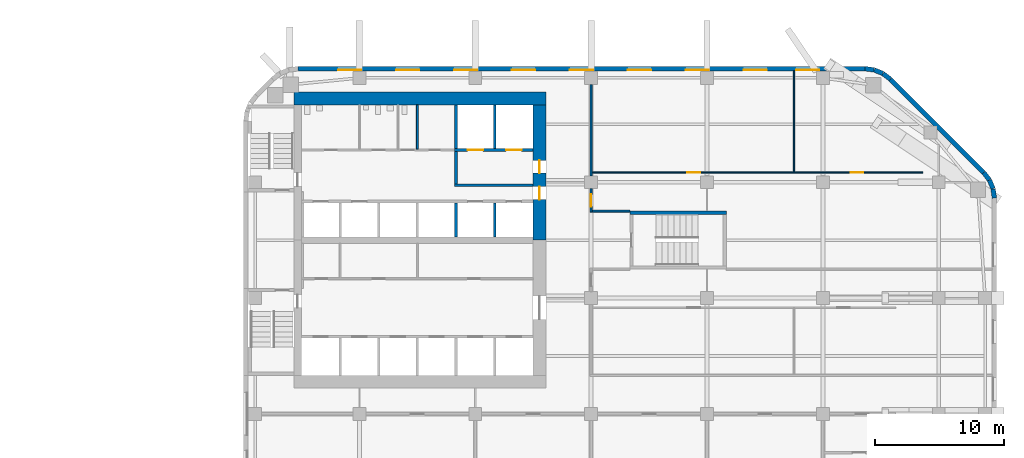
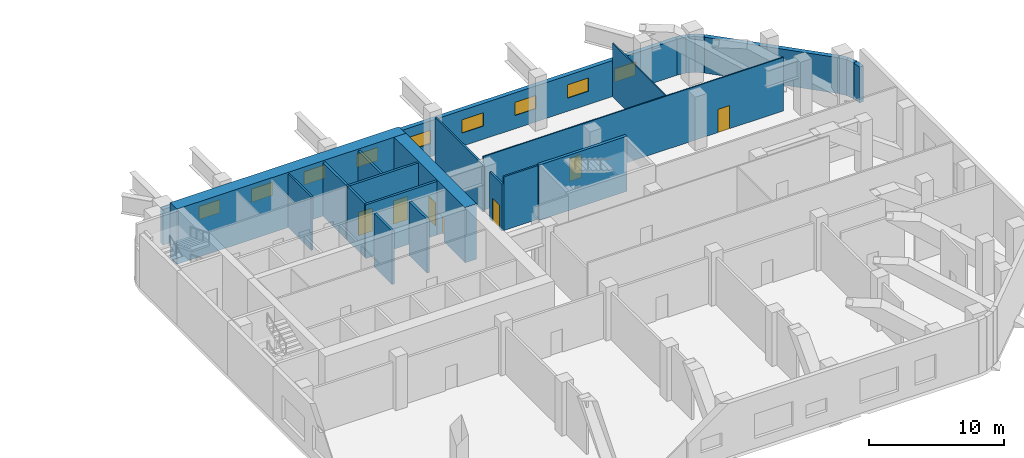
# One storey, part 10 of 14: 24 walls, 9 windows, 7 doors, 16 openings.
"""IFC4 building model written with IfcOpenShell, lengths in metres."""

from ifc_helpers import new_model, si_unit, direction, frame, frame_2d, origin, place, context, subcontext, project, spatial, rectangle, extrude, material, layer, layer_set, type_object, element, fill, save


model = new_model("IFC4")

# Units and contexts
model_context = context("Model", 3, precision=1e-05, world=origin(), true_north=direction((0.0, 1.0)))
body_context = subcontext(model_context, "Body", "Model", "MODEL_VIEW")
ifc_project = project(units=[si_unit("LENGTHUNIT", "METRE"), si_unit("AREAUNIT", "SQUARE_METRE"), si_unit("VOLUMEUNIT", "CUBIC_METRE"), si_unit("PLANEANGLEUNIT", "RADIAN"), si_unit("MASSUNIT", "GRAM", prefix="KILO")], contexts=[model_context])

# Site, building, storey
site_placement = place(None, origin())
site = spatial("IfcSite", under=ifc_project, at=site_placement, CompositionType="ELEMENT")
building_placement = place(site_placement, origin())
building = spatial("IfcBuilding", under=site, at=building_placement, Name="Cinnabar Reach Civic Tower", CompositionType="ELEMENT")
storey_placement = place(building_placement, frame((0.0, 0.0, 95.0)))
storey = spatial("IfcBuildingStorey", under=building, at=storey_placement, Name="L22", CompositionType="ELEMENT", Elevation=95.0)

# Walls
ifc_material_1 = material(Name="Facing brick with insulated backing", Category="masonry")
ifc_layer_1 = layer(ifc_material_1, 0.36)
ifc_layer_set_1 = layer_set([ifc_layer_1], Name="Brick corner wall")
wall_type_1 = type_object("IfcWallType", Name="Brick corner wall", PredefinedType="STANDARD", material=ifc_layer_set_1)
for number, where, z_axis, x_axis, name in (
    (1, (58.317, 34.7686, 0.0), (0.0, 0.0, 1.0), (-0.13055608231, 0.99144092581, 0.0), "Brick corner wall"),
    (2, (58.2181, 35.4973, 0.0), (0.0, 0.0, 1.0), (-0.382702709855, 0.923871547278, 0.0), "Brick corner wall"),
):
    element("IfcWall", number, at=place(storey_placement, frame(where, z_axis=z_axis, x_axis=x_axis)), inside=storey, type_object=wall_type_1, Name=name, PredefinedType="STANDARD", context=body_context, shape_type="SweptSolid", body=[
        extrude(rectangle(XDim=0.7131, YDim=0.36, at=frame_2d((0.3565, 0.0))), origin(), (0.0, 0.0, 1.0), 3.25),
    ])
for number, where, z_axis, x_axis, name in (
    (3, (57.934, 36.1755, 0.0), (0.0, 0.0, 1.0), (-0.608802368033, 0.793321924995, 0.0), "Brick corner wall"),
    (4, (50.2413, 43.9998, 0.0), (0.0, 0.0, 1.0), (-0.793321924995, 0.608802368033, 0.0), "Brick corner wall"),
):
    element("IfcWall", number, at=place(storey_placement, frame(where, z_axis=z_axis, x_axis=x_axis)), inside=storey, type_object=wall_type_1, Name=name, PredefinedType="STANDARD", context=body_context, shape_type="SweptSolid", body=[
        extrude(rectangle(XDim=0.7132, YDim=0.36, at=frame_2d((0.3566, 0.0))), origin(), (0.0, 0.0, 1.0), 3.25),
    ])
for number, where, z_axis, x_axis, name in (
    (5, (49.6561, 44.4452, 0.0), (0.0, 0.0, 1.0), (-0.923871547278, 0.382702709855, 0.0), "Brick corner wall"),
    (6, (48.9756, 44.7239, 0.0), (0.0, 0.0, 1.0), (-0.99144092581, 0.13055608231, 0.0), "Brick corner wall"),
):
    element("IfcWall", number, at=place(storey_placement, frame(where, z_axis=z_axis, x_axis=x_axis)), inside=storey, type_object=wall_type_1, Name=name, PredefinedType="STANDARD", context=body_context, shape_type="SweptSolid", body=[
        extrude(rectangle(XDim=0.7131, YDim=0.36, at=frame_2d((0.3565, 0.0))), origin(), (0.0, 0.0, 1.0), 3.25),
    ])
ifc_layer_2 = layer(ifc_material_1, 0.36)
ifc_layer_set_2 = layer_set([ifc_layer_2], Name="Brick pier and spandrel wall")
wall_type_2 = type_object("IfcWallType", Name="Brick pier and spandrel wall", PredefinedType="STANDARD", material=ifc_layer_set_2)
wall_1_placement = place(storey_placement, frame((57.494, 36.7514, 0.0), z_axis=(0.0, 0.0, 1.0), x_axis=(-0.707106781187, 0.707106781187, 0.0)))
element("IfcWall", 7, at=wall_1_placement, inside=storey, type_object=wall_type_2, Name="Brick facade wall", PredefinedType="STANDARD", context=body_context, shape_type="SweptSolid", body=[
    extrude(rectangle(XDim=10.2426, YDim=0.36, at=frame_2d((5.1213, 0.0))), origin(), (0.0, 0.0, 1.0), 3.25),
])

# Wall, openings, windows
wall_2_placement = place(storey_placement, frame((48.2574, 44.82, 0.0), z_axis=(0.0, 0.0, 1.0), x_axis=(-1.0, 0.0, 0.0)))
wall_2 = element("IfcWall", 8, at=wall_2_placement, inside=storey, type_object=wall_type_2, Name="Brick facade wall", PredefinedType="STANDARD", context=body_context, shape_type="SweptSolid", body=[
    extrude(rectangle(XDim=44.0148, YDim=0.36, at=frame_2d((22.0074, 0.0))), origin(), (0.0, 0.0, 1.0), 3.25),
])
opening_1_placement = place(wall_2_placement, frame((3.5344, 0.0, 1.2)))
opening_1 = element("IfcOpeningElement", 9, at=opening_1_placement, cuts=wall_2, Name="Opening W1469", PredefinedType="OPENING", context=body_context, shape_type="SweptSolid", body=[
    extrude(rectangle(XDim=1.8, YDim=1.2, at=frame_2d((0.9, 0.6))), frame((0.0, 0.19, 0.0), z_axis=(0.0, -1.0, 0.0), x_axis=(1.0, 0.0, 0.0)), (0.0, 0.0, 1.0), 0.38),
])
opening_2_placement = place(wall_2_placement, frame((7.6074, 0.0, 1.2)))
opening_2 = element("IfcOpeningElement", 10, at=opening_2_placement, cuts=wall_2, Name="Opening W1470", PredefinedType="OPENING", context=body_context, shape_type="SweptSolid", body=[
    extrude(rectangle(XDim=1.8, YDim=1.2, at=frame_2d((0.9, 0.6))), frame((0.0, 0.19, 0.0), z_axis=(0.0, -1.0, 0.0), x_axis=(1.0, 0.0, 0.0)), (0.0, 0.0, 1.0), 0.38),
])
opening_3_placement = place(wall_2_placement, frame((12.1074, 0.0, 1.2)))
opening_3 = element("IfcOpeningElement", 11, at=opening_3_placement, cuts=wall_2, Name="Opening W1471", PredefinedType="OPENING", context=body_context, shape_type="SweptSolid", body=[
    extrude(rectangle(XDim=1.8, YDim=1.2, at=frame_2d((0.9, 0.6))), frame((0.0, 0.19, 0.0), z_axis=(0.0, -1.0, 0.0), x_axis=(1.0, 0.0, 0.0)), (0.0, 0.0, 1.0), 0.38),
])
opening_4_placement = place(wall_2_placement, frame((16.6074, 0.0, 1.2)))
opening_4 = element("IfcOpeningElement", 12, at=opening_4_placement, cuts=wall_2, Name="Opening W1472", PredefinedType="OPENING", context=body_context, shape_type="SweptSolid", body=[
    extrude(rectangle(XDim=1.8, YDim=1.2, at=frame_2d((0.9, 0.6))), frame((0.0, 0.19, 0.0), z_axis=(0.0, -1.0, 0.0), x_axis=(1.0, 0.0, 0.0)), (0.0, 0.0, 1.0), 0.38),
])
opening_5_placement = place(wall_2_placement, frame((21.1074, 0.0, 1.2)))
opening_5 = element("IfcOpeningElement", 13, at=opening_5_placement, cuts=wall_2, Name="Opening W1473", PredefinedType="OPENING", context=body_context, shape_type="SweptSolid", body=[
    extrude(rectangle(XDim=1.8, YDim=1.2, at=frame_2d((0.9, 0.6))), frame((0.0, 0.19, 0.0), z_axis=(0.0, -1.0, 0.0), x_axis=(1.0, 0.0, 0.0)), (0.0, 0.0, 1.0), 0.38),
])
opening_6_placement = place(wall_2_placement, frame((25.6074, 0.0, 1.2)))
opening_6 = element("IfcOpeningElement", 14, at=opening_6_placement, cuts=wall_2, Name="Opening W1474", PredefinedType="OPENING", context=body_context, shape_type="SweptSolid", body=[
    extrude(rectangle(XDim=1.8, YDim=1.2, at=frame_2d((0.9, 0.6))), frame((0.0, 0.19, 0.0), z_axis=(0.0, -1.0, 0.0), x_axis=(1.0, 0.0, 0.0)), (0.0, 0.0, 1.0), 0.38),
])
opening_7_placement = place(wall_2_placement, frame((30.1074, 0.0, 1.2)))
opening_7 = element("IfcOpeningElement", 15, at=opening_7_placement, cuts=wall_2, Name="Opening W1475", PredefinedType="OPENING", context=body_context, shape_type="SweptSolid", body=[
    extrude(rectangle(XDim=1.8, YDim=1.2, at=frame_2d((0.9, 0.6))), frame((0.0, 0.19, 0.0), z_axis=(0.0, -1.0, 0.0), x_axis=(1.0, 0.0, 0.0)), (0.0, 0.0, 1.0), 0.38),
])
opening_8_placement = place(wall_2_placement, frame((34.6074, 0.0, 1.2)))
opening_8 = element("IfcOpeningElement", 16, at=opening_8_placement, cuts=wall_2, Name="Opening W1476", PredefinedType="OPENING", context=body_context, shape_type="SweptSolid", body=[
    extrude(rectangle(XDim=1.8, YDim=1.2, at=frame_2d((0.9, 0.6))), frame((0.0, 0.19, 0.0), z_axis=(0.0, -1.0, 0.0), x_axis=(1.0, 0.0, 0.0)), (0.0, 0.0, 1.0), 0.38),
])
opening_9_placement = place(wall_2_placement, frame((39.1074, 0.0, 1.2)))
opening_9 = element("IfcOpeningElement", 17, at=opening_9_placement, cuts=wall_2, Name="Opening W1477", PredefinedType="OPENING", context=body_context, shape_type="SweptSolid", body=[
    extrude(rectangle(XDim=1.8, YDim=1.2, at=frame_2d((0.9, 0.6))), frame((0.0, 0.19, 0.0), z_axis=(0.0, -1.0, 0.0), x_axis=(1.0, 0.0, 0.0)), (0.0, 0.0, 1.0), 0.38),
])
ifc_material_2 = material(Name="Clear double glazing in aluminium frame", Category="aluminium")
window_type = type_object("IfcWindowType", Name="Deep-set window C", PartitioningType="SINGLE_PANEL", PredefinedType="WINDOW", material=ifc_material_2)
window_1_placement = place(opening_1_placement, origin())
window_1 = element("IfcWindow", 18, at=window_1_placement, inside=storey, type_object=window_type, Name="Window north face", OverallHeight=1.2, OverallWidth=1.8, PartitioningType="SINGLE_PANEL", PredefinedType="WINDOW", context=body_context, shape_type="SweptSolid", body=[
    extrude(rectangle(XDim=1.8, YDim=1.2, at=frame_2d((0.9, 0.6))), frame((0.0, 0.13, 0.0), z_axis=(0.0, -1.0, 0.0), x_axis=(1.0, 0.0, 0.0)), (0.0, 0.0, 1.0), 0.06),
])
fill(opening_1, window_1)
window_2_placement = place(opening_2_placement, origin())
window_2 = element("IfcWindow", 19, at=window_2_placement, inside=storey, type_object=window_type, Name="Window north face", OverallHeight=1.2, OverallWidth=1.8, PartitioningType="SINGLE_PANEL", PredefinedType="WINDOW", context=body_context, shape_type="SweptSolid", body=[
    extrude(rectangle(XDim=1.8, YDim=1.2, at=frame_2d((0.9, 0.6))), frame((0.0, 0.13, 0.0), z_axis=(0.0, -1.0, 0.0), x_axis=(1.0, 0.0, 0.0)), (0.0, 0.0, 1.0), 0.06),
])
fill(opening_2, window_2)
window_3_placement = place(opening_3_placement, origin())
window_3 = element("IfcWindow", 20, at=window_3_placement, inside=storey, type_object=window_type, Name="Window north face", OverallHeight=1.2, OverallWidth=1.8, PartitioningType="SINGLE_PANEL", PredefinedType="WINDOW", context=body_context, shape_type="SweptSolid", body=[
    extrude(rectangle(XDim=1.8, YDim=1.2, at=frame_2d((0.9, 0.6))), frame((0.0, 0.13, 0.0), z_axis=(0.0, -1.0, 0.0), x_axis=(1.0, 0.0, 0.0)), (0.0, 0.0, 1.0), 0.06),
])
fill(opening_3, window_3)
window_4_placement = place(opening_4_placement, origin())
window_4 = element("IfcWindow", 21, at=window_4_placement, inside=storey, type_object=window_type, Name="Window north face", OverallHeight=1.2, OverallWidth=1.8, PartitioningType="SINGLE_PANEL", PredefinedType="WINDOW", context=body_context, shape_type="SweptSolid", body=[
    extrude(rectangle(XDim=1.8, YDim=1.2, at=frame_2d((0.9, 0.6))), frame((0.0, 0.13, 0.0), z_axis=(0.0, -1.0, 0.0), x_axis=(1.0, 0.0, 0.0)), (0.0, 0.0, 1.0), 0.06),
])
fill(opening_4, window_4)
window_5_placement = place(opening_5_placement, origin())
window_5 = element("IfcWindow", 22, at=window_5_placement, inside=storey, type_object=window_type, Name="Window north face", OverallHeight=1.2, OverallWidth=1.8, PartitioningType="SINGLE_PANEL", PredefinedType="WINDOW", context=body_context, shape_type="SweptSolid", body=[
    extrude(rectangle(XDim=1.8, YDim=1.2, at=frame_2d((0.9, 0.6))), frame((0.0, 0.13, 0.0), z_axis=(0.0, -1.0, 0.0), x_axis=(1.0, 0.0, 0.0)), (0.0, 0.0, 1.0), 0.06),
])
fill(opening_5, window_5)
window_6_placement = place(opening_6_placement, origin())
window_6 = element("IfcWindow", 23, at=window_6_placement, inside=storey, type_object=window_type, Name="Window north face", OverallHeight=1.2, OverallWidth=1.8, PartitioningType="SINGLE_PANEL", PredefinedType="WINDOW", context=body_context, shape_type="SweptSolid", body=[
    extrude(rectangle(XDim=1.8, YDim=1.2, at=frame_2d((0.9, 0.6))), frame((0.0, 0.13, 0.0), z_axis=(0.0, -1.0, 0.0), x_axis=(1.0, 0.0, 0.0)), (0.0, 0.0, 1.0), 0.06),
])
fill(opening_6, window_6)
window_7_placement = place(opening_7_placement, origin())
window_7 = element("IfcWindow", 24, at=window_7_placement, inside=storey, type_object=window_type, Name="Window north face", OverallHeight=1.2, OverallWidth=1.8, PartitioningType="SINGLE_PANEL", PredefinedType="WINDOW", context=body_context, shape_type="SweptSolid", body=[
    extrude(rectangle(XDim=1.8, YDim=1.2, at=frame_2d((0.9, 0.6))), frame((0.0, 0.13, 0.0), z_axis=(0.0, -1.0, 0.0), x_axis=(1.0, 0.0, 0.0)), (0.0, 0.0, 1.0), 0.06),
])
fill(opening_7, window_7)
window_8_placement = place(opening_8_placement, origin())
window_8 = element("IfcWindow", 25, at=window_8_placement, inside=storey, type_object=window_type, Name="Window north face", OverallHeight=1.2, OverallWidth=1.8, PartitioningType="SINGLE_PANEL", PredefinedType="WINDOW", context=body_context, shape_type="SweptSolid", body=[
    extrude(rectangle(XDim=1.8, YDim=1.2, at=frame_2d((0.9, 0.6))), frame((0.0, 0.13, 0.0), z_axis=(0.0, -1.0, 0.0), x_axis=(1.0, 0.0, 0.0)), (0.0, 0.0, 1.0), 0.06),
])
fill(opening_8, window_8)
window_9_placement = place(opening_9_placement, origin())
window_9 = element("IfcWindow", 26, at=window_9_placement, inside=storey, type_object=window_type, Name="Window north face", OverallHeight=1.2, OverallWidth=1.8, PartitioningType="SINGLE_PANEL", PredefinedType="WINDOW", context=body_context, shape_type="SweptSolid", body=[
    extrude(rectangle(XDim=1.8, YDim=1.2, at=frame_2d((0.9, 0.6))), frame((0.0, 0.13, 0.0), z_axis=(0.0, -1.0, 0.0), x_axis=(1.0, 0.0, 0.0)), (0.0, 0.0, 1.0), 0.06),
])
fill(opening_9, window_9)

# Wall
ifc_material_3 = material(Name="Concrete C70", Category="concrete")
ifc_layer_3 = layer(ifc_material_3, 1.0)
ifc_layer_set_3 = layer_set([ifc_layer_3], Name="Core wall 1000 EI 180")
wall_type_3 = type_object("IfcWallType", Name="Core wall 1000 EI 180", PredefinedType="SOLIDWALL", material=ifc_layer_set_3)
wall_3_placement = place(storey_placement, frame((23.5, 42.5, 0.0), z_axis=(0.0, 0.0, 1.0), x_axis=(-1.0, 0.0, 0.0)))
element("IfcWall", 27, at=wall_3_placement, inside=storey, type_object=wall_type_3, Name="Core wall T1 L22 N", PredefinedType="SOLIDWALL", context=body_context, shape_type="SweptSolid", body=[
    extrude(rectangle(XDim=19.6, YDim=1.0, at=frame_2d((9.8, 0.0))), origin(), (0.0, 0.0, 1.0), 5.0),
])

# Wall, openings, doors
wall_4_placement = place(storey_placement, frame((23.0, 31.5, 0.0), z_axis=(0.0, 0.0, 1.0), x_axis=(0.0, 1.0, 0.0)))
wall_4 = element("IfcWall", 28, at=wall_4_placement, inside=storey, type_object=wall_type_3, Name="Core wall T1 L22 E2", PredefinedType="SOLIDWALL", context=body_context, shape_type="SweptSolid", body=[
    extrude(rectangle(XDim=10.5, YDim=1.0, at=frame_2d((5.25, 0.0))), origin(), (0.0, 0.0, 1.0), 5.0),
])
opening_10_placement = place(wall_4_placement, frame((3.15, 0.0, 0.0)))
opening_10 = element("IfcOpeningElement", 29, at=opening_10_placement, cuts=wall_4, Name="Opening D3893", PredefinedType="OPENING", context=body_context, shape_type="SweptSolid", body=[
    extrude(rectangle(XDim=1.0, YDim=2.1, at=frame_2d((0.5, 1.05))), frame((0.0, 0.51, 0.0), z_axis=(0.0, -1.0, 0.0), x_axis=(1.0, 0.0, 0.0)), (0.0, 0.0, 1.0), 1.02),
])
opening_11_placement = place(wall_4_placement, frame((5.2, 0.0, 0.0)))
opening_11 = element("IfcOpeningElement", 30, at=opening_11_placement, cuts=wall_4, Name="Opening D3894", PredefinedType="OPENING", context=body_context, shape_type="SweptSolid", body=[
    extrude(rectangle(XDim=1.0, YDim=2.1, at=frame_2d((0.5, 1.05))), frame((0.0, 0.51, 0.0), z_axis=(0.0, -1.0, 0.0), x_axis=(1.0, 0.0, 0.0)), (0.0, 0.0, 1.0), 1.02),
])
ifc_material_4 = material(Name="Timber door leaf in steel frame", Category="steel")
door_type_1 = type_object("IfcDoorType", Name="Firefighting lobby door 1000 x 2100 T1", OperationType="SINGLE_SWING_LEFT", PredefinedType="DOOR", material=ifc_material_4)
door_1_placement = place(opening_11_placement, origin())
door_1 = element("IfcDoor", 31, at=door_1_placement, inside=storey, type_object=door_type_1, Name="Door D3894", OperationType="SINGLE_SWING_LEFT", OverallHeight=2.1, OverallWidth=1.0, PredefinedType="DOOR", context=body_context, shape_type="SweptSolid", body=[
    extrude(rectangle(XDim=1.0, YDim=2.1, at=frame_2d((0.5, 1.05))), frame((0.0, 0.025, 0.0), z_axis=(0.0, -1.0, 0.0), x_axis=(1.0, 0.0, 0.0)), (0.0, 0.0, 1.0), 0.05),
])
fill(opening_11, door_1)
door_type_2 = type_object("IfcDoorType", Name="Single swing door 1000 x 2100 T1", OperationType="SINGLE_SWING_LEFT", PredefinedType="DOOR", material=ifc_material_4)
door_2_placement = place(opening_10_placement, origin())
door_2 = element("IfcDoor", 32, at=door_2_placement, inside=storey, type_object=door_type_2, Name="Door D3893", OperationType="SINGLE_SWING_RIGHT", OverallHeight=2.1, OverallWidth=1.0, PredefinedType="DOOR", context=body_context, shape_type="SweptSolid", body=[
    extrude(rectangle(XDim=1.0, YDim=2.1, at=frame_2d((0.5, 1.05))), frame((0.0, 0.025, 0.0), z_axis=(0.0, -1.0, 0.0), x_axis=(1.0, 0.0, 0.0)), (0.0, 0.0, 1.0), 0.05),
])
fill(opening_10, door_2)

# Wall, opening, door
ifc_material_5 = material(Name="Gypsum board on steel studs, double layer", Category="steel")
ifc_layer_4 = layer(ifc_material_5, 0.15)
ifc_layer_set_4 = layer_set([ifc_layer_4], Name="Corridor wall 150 T1")
wall_type_4 = type_object("IfcWallType", Name="Corridor wall 150 T1", PredefinedType="PARTITIONING", material=ifc_layer_set_4)
wall_5_placement = place(storey_placement, frame((27.0, 33.675, 0.0), z_axis=(0.0, 0.0, 1.0), x_axis=(0.0, 1.0, 0.0)))
wall_5 = element("IfcWall", 33, at=wall_5_placement, inside=storey, type_object=wall_type_4, Name="Corridor wall 39", PredefinedType="PARTITIONING", context=body_context, shape_type="SweptSolid", body=[
    extrude(rectangle(XDim=1.825, YDim=0.15, at=frame_2d((0.9125, 0.0))), origin(), (0.0, 0.0, 1.0), 4.256),
])
opening_12_placement = place(wall_5_placement, frame((0.4, 0.0, 0.0)))
opening_12 = element("IfcOpeningElement", 34, at=opening_12_placement, cuts=wall_5, Name="Opening D3903", PredefinedType="OPENING", context=body_context, shape_type="SweptSolid", body=[
    extrude(rectangle(XDim=1.0, YDim=2.1, at=frame_2d((0.5, 1.05))), frame((0.0, 0.085, 0.0), z_axis=(0.0, -1.0, 0.0), x_axis=(1.0, 0.0, 0.0)), (0.0, 0.0, 1.0), 0.17),
])
door_type_3 = type_object("IfcDoorType", Name="Plant room door 1000 x 2100 T1", OperationType="SINGLE_SWING_LEFT", PredefinedType="DOOR", material=ifc_material_4)
door_3_placement = place(opening_12_placement, frame((1.0, 0.0, 0.0), z_axis=(0.0, 0.0, 1.0), x_axis=(-1.0, 0.0, 0.0)))
door_3 = element("IfcDoor", 35, at=door_3_placement, inside=storey, type_object=door_type_3, Name="Door D3903", OperationType="SINGLE_SWING_RIGHT", OverallHeight=2.1, OverallWidth=1.0, PredefinedType="DOOR", context=body_context, shape_type="SweptSolid", body=[
    extrude(rectangle(XDim=1.0, YDim=2.1, at=frame_2d((0.5, 1.05))), frame((0.0, 0.025, 0.0), z_axis=(0.0, -1.0, 0.0), x_axis=(1.0, 0.0, 0.0)), (0.0, 0.0, 1.0), 0.05),
])
fill(opening_12, door_3)

# Walls
wall_6_placement = place(storey_placement, frame((27.0, 36.5, 0.0), z_axis=(0.0, 0.0, 1.0), x_axis=(0.0, 1.0, 0.0)))
element("IfcWall", 36, at=wall_6_placement, inside=storey, type_object=wall_type_4, Name="Corridor wall 40", PredefinedType="PARTITIONING", context=body_context, shape_type="SweptSolid", body=[
    extrude(rectangle(XDim=7.1, YDim=0.15, at=frame_2d((3.55, 0.0))), origin(), (0.0, 0.0, 1.0), 4.256),
])
wall_7_placement = place(storey_placement, frame((27.075, 33.75, 0.0), z_axis=(0.0, 0.0, 1.0), x_axis=(1.0, 0.0, 0.0)))
element("IfcWall", 37, at=wall_7_placement, inside=storey, type_object=wall_type_4, Name="Corridor wall 46", PredefinedType="PARTITIONING", context=body_context, shape_type="SweptSolid", body=[
    extrude(rectangle(XDim=2.925, YDim=0.15, at=frame_2d((1.4625, 0.0))), origin(), (0.0, 0.0, 1.0), 4.85),
])
ifc_material_6 = material(Name="Blockwork", Category="masonry")
ifc_layer_5 = layer(ifc_material_6, 0.2)
ifc_layer_set_5 = layer_set([ifc_layer_5], Name="Lift shaft wall 200 T1")
wall_type_5 = type_object("IfcWallType", Name="Lift shaft wall 200 T1", PredefinedType="PARTITIONING", material=ifc_layer_set_5)
for number, where, z_axis, x_axis, name in (
    (38, (16.5, 38.6, 0.0), (0.0, 0.0, 1.0), (0.0, 1.0, 0.0), "Lift shaft wall 23"),
    (39, (19.5, 38.6, 0.0), (0.0, 0.0, 1.0), (0.0, 1.0, 0.0), "Lift shaft wall 24"),
):
    element("IfcWall", number, at=place(storey_placement, frame(where, z_axis=z_axis, x_axis=x_axis)), inside=storey, type_object=wall_type_5, Name=name, PredefinedType="PARTITIONING", context=body_context, shape_type="SweptSolid", body=[
        extrude(rectangle(XDim=3.4, YDim=0.2, at=frame_2d((1.7, 0.0))), origin(), (0.0, 0.0, 1.0), 4.85),
    ])
for number, where, z_axis, x_axis, name in (
    (40, (16.5, 31.75, 0.0), (0.0, 0.0, 1.0), (0.0, 1.0, 0.0), "Lift shaft wall 33"),
    (41, (19.5, 31.75, 0.0), (0.0, 0.0, 1.0), (0.0, 1.0, 0.0), "Lift shaft wall 35"),
):
    element("IfcWall", number, at=place(storey_placement, frame(where, z_axis=z_axis, x_axis=x_axis)), inside=storey, type_object=wall_type_5, Name=name, PredefinedType="PARTITIONING", context=body_context, shape_type="SweptSolid", body=[
        extrude(rectangle(XDim=2.65, YDim=0.2, at=frame_2d((1.325, 0.0))), origin(), (0.0, 0.0, 1.0), 4.85),
    ])

# Wall, openings, doors
ifc_material_7 = material(Name="Gypsum board on steel studs", Category="steel")
ifc_layer_6 = layer(ifc_material_7, 0.1)
ifc_layer_set_6 = layer_set([ifc_layer_6], Name="Partition wall 100 T1")
wall_type_6 = type_object("IfcWallType", Name="Partition wall 100 T1", PredefinedType="PARTITIONING", material=ifc_layer_set_6)
wall_8_placement = place(storey_placement, frame((27.075, 36.75, 0.0), z_axis=(0.0, 0.0, 1.0), x_axis=(1.0, 0.0, 0.0)))
wall_8 = element("IfcWall", 42, at=wall_8_placement, inside=storey, type_object=wall_type_6, Name="Partition wall 51", PredefinedType="PARTITIONING", context=body_context, shape_type="SweptSolid", body=[
    extrude(rectangle(XDim=25.6754, YDim=0.1, at=frame_2d((12.8377, 0.0))), origin(), (0.0, 0.0, 1.0), 4.85),
])
opening_13_placement = place(wall_8_placement, frame((7.4, 0.0, 0.0)))
opening_13 = element("IfcOpeningElement", 43, at=opening_13_placement, cuts=wall_8, Name="Opening D3904", PredefinedType="OPENING", context=body_context, shape_type="SweptSolid", body=[
    extrude(rectangle(XDim=1.0, YDim=2.1, at=frame_2d((0.5, 1.05))), frame((0.0, 0.06, 0.0), z_axis=(0.0, -1.0, 0.0), x_axis=(1.0, 0.0, 0.0)), (0.0, 0.0, 1.0), 0.12),
])
opening_14_placement = place(wall_8_placement, frame((20.075, 0.0, 0.0)))
opening_14 = element("IfcOpeningElement", 44, at=opening_14_placement, cuts=wall_8, Name="Opening D3905", PredefinedType="OPENING", context=body_context, shape_type="SweptSolid", body=[
    extrude(rectangle(XDim=1.0, YDim=2.1, at=frame_2d((0.5, 1.05))), frame((0.0, 0.06, 0.0), z_axis=(0.0, -1.0, 0.0), x_axis=(1.0, 0.0, 0.0)), (0.0, 0.0, 1.0), 0.12),
])
door_4_placement = place(opening_13_placement, frame((1.0, 0.0, 0.0), z_axis=(0.0, 0.0, 1.0), x_axis=(-1.0, 0.0, 0.0)))
door_4 = element("IfcDoor", 45, at=door_4_placement, inside=storey, type_object=door_type_3, Name="Door D3904", OperationType="SINGLE_SWING_LEFT", OverallHeight=2.1, OverallWidth=1.0, PredefinedType="DOOR", context=body_context, shape_type="SweptSolid", body=[
    extrude(rectangle(XDim=1.0, YDim=2.1, at=frame_2d((0.5, 1.05))), frame((0.0, 0.025, 0.0), z_axis=(0.0, -1.0, 0.0), x_axis=(1.0, 0.0, 0.0)), (0.0, 0.0, 1.0), 0.05),
])
fill(opening_13, door_4)
door_5_placement = place(opening_14_placement, frame((1.0, 0.0, 0.0), z_axis=(0.0, 0.0, 1.0), x_axis=(-1.0, 0.0, 0.0)))
door_5 = element("IfcDoor", 46, at=door_5_placement, inside=storey, type_object=door_type_3, Name="Door D3905", OperationType="SINGLE_SWING_LEFT", OverallHeight=2.1, OverallWidth=1.0, PredefinedType="DOOR", context=body_context, shape_type="SweptSolid", body=[
    extrude(rectangle(XDim=1.0, YDim=2.1, at=frame_2d((0.5, 1.05))), frame((0.0, 0.025, 0.0), z_axis=(0.0, -1.0, 0.0), x_axis=(1.0, 0.0, 0.0)), (0.0, 0.0, 1.0), 0.05),
])
fill(opening_14, door_5)

# Walls
wall_9_placement = place(storey_placement, frame((42.75, 36.8, 0.0), z_axis=(0.0, 0.0, 1.0), x_axis=(0.0, 1.0, 0.0)))
element("IfcWall", 47, at=wall_9_placement, inside=storey, type_object=wall_type_6, Name="Partition wall 52", PredefinedType="PARTITIONING", context=body_context, shape_type="SweptSolid", body=[
    extrude(rectangle(XDim=7.84, YDim=0.1, at=frame_2d((3.92, 0.0))), origin(), (0.0, 0.0, 1.0), 4.85),
])
ifc_material_8 = material(Name="Concrete C40", Category="concrete")
ifc_layer_7 = layer(ifc_material_8, 0.2)
ifc_layer_set_7 = layer_set([ifc_layer_7], Name="Refuge compartment wall 200 T1")
wall_type_7 = type_object("IfcWallType", Name="Refuge compartment wall 200 T1", PredefinedType="PARTITIONING", material=ifc_layer_set_7)
wall_10_placement = place(storey_placement, frame((16.4, 35.75, 0.0), z_axis=(0.0, 0.0, 1.0), x_axis=(1.0, 0.0, 0.0)))
element("IfcWall", 48, at=wall_10_placement, inside=storey, type_object=wall_type_7, Name="Refuge compartment wall 18", PredefinedType="PARTITIONING", context=body_context, shape_type="SweptSolid", body=[
    extrude(rectangle(XDim=6.1, YDim=0.2, at=frame_2d((3.05, 0.0))), origin(), (0.0, 0.0, 1.0), 4.85),
])

# Wall, openings, doors
wall_11_placement = place(storey_placement, frame((16.4, 38.5, 0.0), z_axis=(0.0, 0.0, 1.0), x_axis=(1.0, 0.0, 0.0)))
wall_11 = element("IfcWall", 49, at=wall_11_placement, inside=storey, type_object=wall_type_7, Name="Refuge compartment wall 19", PredefinedType="PARTITIONING", context=body_context, shape_type="SweptSolid", body=[
    extrude(rectangle(XDim=6.1, YDim=0.2, at=frame_2d((3.05, 0.0))), origin(), (0.0, 0.0, 1.0), 4.85),
])
opening_15_placement = place(wall_11_placement, frame((1.0, 0.0, 0.0)))
opening_15 = element("IfcOpeningElement", 50, at=opening_15_placement, cuts=wall_11, Name="Opening D3890", PredefinedType="OPENING", context=body_context, shape_type="SweptSolid", body=[
    extrude(rectangle(XDim=1.2, YDim=2.1, at=frame_2d((0.6, 1.05))), frame((0.0, 0.11, 0.0), z_axis=(0.0, -1.0, 0.0), x_axis=(1.0, 0.0, 0.0)), (0.0, 0.0, 1.0), 0.22),
])
opening_16_placement = place(wall_11_placement, frame((4.0, 0.0, 0.0)))
opening_16 = element("IfcOpeningElement", 51, at=opening_16_placement, cuts=wall_11, Name="Opening D3891", PredefinedType="OPENING", context=body_context, shape_type="SweptSolid", body=[
    extrude(rectangle(XDim=1.2, YDim=2.1, at=frame_2d((0.6, 1.05))), frame((0.0, 0.11, 0.0), z_axis=(0.0, -1.0, 0.0), x_axis=(1.0, 0.0, 0.0)), (0.0, 0.0, 1.0), 0.22),
])
ifc_material_9 = material(Name="Stainless steel sliding door", Category="steel")
door_type_4 = type_object("IfcDoorType", Name="Firefighting lift landing door 1200 x 2100 T1", OperationType="SLIDING_TO_LEFT", PredefinedType="DOOR", material=ifc_material_9)
door_6_placement = place(opening_15_placement, origin())
door_6 = element("IfcDoor", 52, at=door_6_placement, inside=storey, type_object=door_type_4, Name="Lift landing door FF1 L22", OperationType="SLIDING_TO_LEFT", OverallHeight=2.1, OverallWidth=1.2, PredefinedType="DOOR", context=body_context, shape_type="SweptSolid", body=[
    extrude(rectangle(XDim=1.2, YDim=2.1, at=frame_2d((0.6, 1.05))), frame((0.0, 0.025, 0.0), z_axis=(0.0, -1.0, 0.0), x_axis=(1.0, 0.0, 0.0)), (0.0, 0.0, 1.0), 0.05),
])
fill(opening_15, door_6)
door_7_placement = place(opening_16_placement, origin())
door_7 = element("IfcDoor", 53, at=door_7_placement, inside=storey, type_object=door_type_4, Name="Lift landing door FF2 L22", OperationType="SLIDING_TO_LEFT", OverallHeight=2.1, OverallWidth=1.2, PredefinedType="DOOR", context=body_context, shape_type="SweptSolid", body=[
    extrude(rectangle(XDim=1.2, YDim=2.1, at=frame_2d((0.6, 1.05))), frame((0.0, 0.025, 0.0), z_axis=(0.0, -1.0, 0.0), x_axis=(1.0, 0.0, 0.0)), (0.0, 0.0, 1.0), 0.05),
])
fill(opening_16, door_7)

# Walls
wall_12_placement = place(storey_placement, frame((16.5, 35.85, 0.0), z_axis=(0.0, 0.0, 1.0), x_axis=(0.0, 1.0, 0.0)))
element("IfcWall", 54, at=wall_12_placement, inside=storey, type_object=wall_type_7, Name="Refuge compartment wall 20", PredefinedType="PARTITIONING", context=body_context, shape_type="SweptSolid", body=[
    extrude(rectangle(XDim=2.55, YDim=0.2, at=frame_2d((1.275, 0.0))), origin(), (0.0, 0.0, 1.0), 4.85),
])
ifc_layer_8 = layer(ifc_material_6, 0.15)
ifc_layer_set_8 = layer_set([ifc_layer_8], Name="Riser wall 150 T1")
wall_type_8 = type_object("IfcWallType", Name="Riser wall 150 T1", PredefinedType="PARTITIONING", material=ifc_layer_set_8)
wall_13_placement = place(storey_placement, frame((13.5, 38.575, 0.0), z_axis=(0.0, 0.0, 1.0), x_axis=(0.0, 1.0, 0.0)))
element("IfcWall", 55, at=wall_13_placement, inside=storey, type_object=wall_type_8, Name="Riser wall 48", PredefinedType="PARTITIONING", context=body_context, shape_type="SweptSolid", body=[
    extrude(rectangle(XDim=3.425, YDim=0.15, at=frame_2d((1.7125, 0.0))), origin(), (0.0, 0.0, 1.0), 4.85),
])
ifc_material_10 = material(Name="Concrete C60", Category="concrete")
ifc_layer_9 = layer(ifc_material_10, 0.25)
ifc_layer_set_9 = layer_set([ifc_layer_9], Name="Stair shaft wall 250 EI 120")
wall_type_9 = type_object("IfcWallType", Name="Stair shaft wall 250 EI 120", PredefinedType="SOLIDWALL", material=ifc_layer_set_9)
wall_14_placement = place(storey_placement, frame((37.5, 33.625, 0.0), z_axis=(0.0, 0.0, 1.0), x_axis=(-1.0, 0.0, 0.0)))
element("IfcWall", 56, at=wall_14_placement, inside=storey, type_object=wall_type_9, Name="Stair shaft wall T1-S3 L22", PredefinedType="SOLIDWALL", context=body_context, shape_type="SweptSolid", body=[
    extrude(rectangle(XDim=7.5, YDim=0.25, at=frame_2d((3.75, 0.0))), origin(), (0.0, 0.0, 1.0), 5.0),
])

save(model, "model.ifc")
